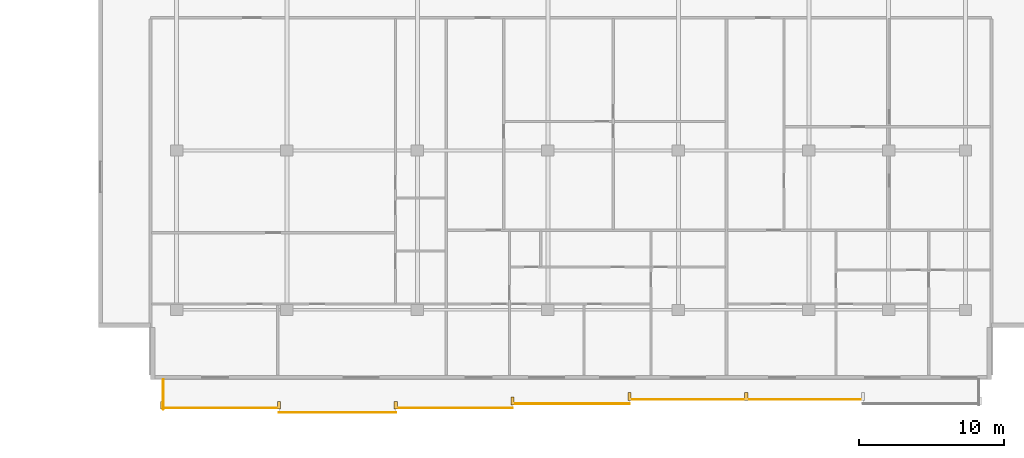
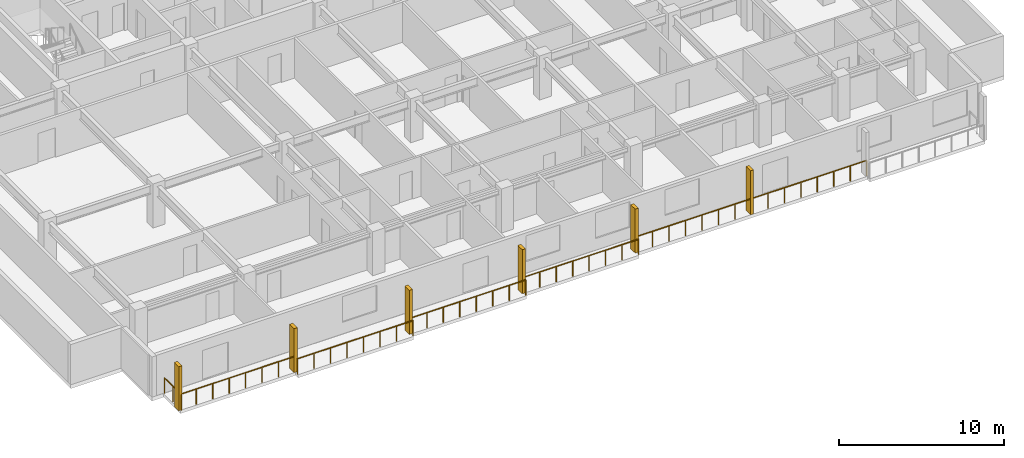
# One storey, part 17 of 21: 6 railings, 6 shading devices.
"""IFC4 building model written with IfcOpenShell, lengths in metres."""

from ifc_helpers import new_model, si_unit, direction, frame, origin, origin_2d, place, context, subcontext, project, spatial, rectangle, circle, extrude, material, type_object, element, save


model = new_model("IFC4")

# Units and contexts
model_context = context("Model", 3, precision=1e-05, world=origin(), true_north=direction((0.0, 1.0)))
body_context = subcontext(model_context, "Body", "Model", "MODEL_VIEW")
ifc_project = project(units=[si_unit("LENGTHUNIT", "METRE"), si_unit("AREAUNIT", "SQUARE_METRE"), si_unit("VOLUMEUNIT", "CUBIC_METRE"), si_unit("PLANEANGLEUNIT", "RADIAN"), si_unit("MASSUNIT", "GRAM", prefix="KILO")], contexts=[model_context])

# Site, building, storey
site_placement = place(None, origin())
site = spatial("IfcSite", under=ifc_project, at=site_placement, CompositionType="ELEMENT")
building_placement = place(site_placement, origin())
building = spatial("IfcBuilding", under=site, at=building_placement, Name="Korimba Cascade Residences", CompositionType="ELEMENT")
storey_placement = place(building_placement, frame((0.0, 0.0, 123.050048828125)))
storey = spatial("IfcBuildingStorey", under=building, at=storey_placement, Name="L35", CompositionType="ELEMENT", Elevation=123.050048828125)

# Railings
ifc_material_1 = material(Name="Laminated Glass and Bronze Balustrade", Category="glass")
railing_type = type_object("IfcRailingType", Name="RLG-LOG-1150", PredefinedType="BALUSTRADE", material=ifc_material_1)
for number, where, name in (
    (1, (73.5, -10.969970703125, 0.0), "L35 Perimeter Guardrail RLG-L35-T2-LOG-01"),
    (2, (81.55712890625, -11.27001953125, 0.0), "L35 Perimeter Guardrail RLG-L35-T2-LOG-02"),
    (3, (89.6142578125, -10.969970703125, 0.0), "L35 Perimeter Guardrail RLG-L35-T2-LOG-03"),
    (4, (97.67138671875, -10.669921875, 0.0), "L35 Perimeter Guardrail RLG-L35-T2-LOG-04"),
):
    element("IfcRailing", number, at=place(storey_placement, frame(where)), inside=storey, type_object=railing_type, Name=name, PredefinedType="BALUSTRADE", context=body_context, shape_type="SweptSolid", body=[
        extrude(circle(Radius=0.02392578125, at=origin_2d()), frame((0.0, 0.0, 1.1259765625), z_axis=(1.0, 0.0, 0.0), x_axis=(0.0, 1.0, 0.0)), (0.0, 0.0, 1.0), 8.05712890625),
        extrude(circle(Radius=0.02099609375, at=origin_2d()), origin(), (0.0, 0.0, 1.0), 1.101806640625),
        extrude(circle(Radius=0.02099609375, at=origin_2d()), frame((1.151123046875, 0.0, 0.0)), (0.0, 0.0, 1.0), 1.101806640625),
        extrude(circle(Radius=0.02099609375, at=origin_2d()), frame((2.302001953125, 0.0, 0.0)), (0.0, 0.0, 1.0), 1.101806640625),
        extrude(circle(Radius=0.02099609375, at=origin_2d()), frame((3.453125, 0.0, 0.0)), (0.0, 0.0, 1.0), 1.101806640625),
        extrude(circle(Radius=0.02099609375, at=origin_2d()), frame((4.60400390625, 0.0, 0.0)), (0.0, 0.0, 1.0), 1.101806640625),
        extrude(circle(Radius=0.02099609375, at=origin_2d()), frame((5.755126953125, 0.0, 0.0)), (0.0, 0.0, 1.0), 1.101806640625),
        extrude(circle(Radius=0.02099609375, at=origin_2d()), frame((6.906005859375, 0.0, 0.0)), (0.0, 0.0, 1.0), 1.101806640625),
        extrude(circle(Radius=0.02099609375, at=origin_2d()), frame((8.05712890625, 0.0, 0.0)), (0.0, 0.0, 1.0), 1.101806640625),
    ])
railing_1_placement = place(storey_placement, frame((105.728515625, -10.3701171875, 0.0)))
element("IfcRailing", 5, at=railing_1_placement, inside=storey, type_object=railing_type, Name="L35 Perimeter Guardrail RLG-L35-T2-LOG-05", PredefinedType="BALUSTRADE", context=body_context, shape_type="SweptSolid", body=[
    extrude(circle(Radius=0.02392578125, at=origin_2d()), frame((0.0, 0.0, 1.1259765625), z_axis=(1.0, 0.0, 0.0), x_axis=(0.0, 1.0, 0.0)), (0.0, 0.0, 1.0), 16.114501953125),
    extrude(circle(Radius=0.02099609375, at=origin_2d()), origin(), (0.0, 0.0, 1.0), 1.101806640625),
    extrude(circle(Radius=0.02099609375, at=origin_2d()), frame((1.151123046875, 0.0, 0.0)), (0.0, 0.0, 1.0), 1.101806640625),
    extrude(circle(Radius=0.02099609375, at=origin_2d()), frame((2.302001953125, 0.0, 0.0)), (0.0, 0.0, 1.0), 1.101806640625),
    extrude(circle(Radius=0.02099609375, at=origin_2d()), frame((3.453125, 0.0, 0.0)), (0.0, 0.0, 1.0), 1.101806640625),
    extrude(circle(Radius=0.02099609375, at=origin_2d()), frame((4.604248046875, 0.0, 0.0)), (0.0, 0.0, 1.0), 1.101806640625),
    extrude(circle(Radius=0.02099609375, at=origin_2d()), frame((5.755126953125, 0.0, 0.0)), (0.0, 0.0, 1.0), 1.101806640625),
    extrude(circle(Radius=0.02099609375, at=origin_2d()), frame((6.90625, 0.0, 0.0)), (0.0, 0.0, 1.0), 1.101806640625),
    extrude(circle(Radius=0.02099609375, at=origin_2d()), frame((8.05712890625, 0.0, 0.0)), (0.0, 0.0, 1.0), 1.101806640625),
    extrude(circle(Radius=0.02099609375, at=origin_2d()), frame((9.208251953125, 0.0, 0.0)), (0.0, 0.0, 1.0), 1.101806640625),
    extrude(circle(Radius=0.02099609375, at=origin_2d()), frame((10.359375, 0.0, 0.0)), (0.0, 0.0, 1.0), 1.101806640625),
    extrude(circle(Radius=0.02099609375, at=origin_2d()), frame((11.51025390625, 0.0, 0.0)), (0.0, 0.0, 1.0), 1.101806640625),
    extrude(circle(Radius=0.02099609375, at=origin_2d()), frame((12.661376953125, 0.0, 0.0)), (0.0, 0.0, 1.0), 1.101806640625),
    extrude(circle(Radius=0.02099609375, at=origin_2d()), frame((13.8125, 0.0, 0.0)), (0.0, 0.0, 1.0), 1.101806640625),
    extrude(circle(Radius=0.02099609375, at=origin_2d()), frame((14.96337890625, 0.0, 0.0)), (0.0, 0.0, 1.0), 1.101806640625),
    extrude(circle(Radius=0.02099609375, at=origin_2d()), frame((16.114501953125, 0.0, 0.0)), (0.0, 0.0, 1.0), 1.101806640625),
])
railing_2_placement = place(storey_placement, frame((73.580078125, -9.0, 0.0)))
element("IfcRailing", 6, at=railing_2_placement, inside=storey, type_object=railing_type, Name="L35 Perimeter Guardrail RLG-L35-T2-LOG-08", PredefinedType="BALUSTRADE", context=body_context, shape_type="SweptSolid", body=[
    extrude(circle(Radius=0.02392578125, at=origin_2d()), frame((0.0, 0.0, 1.1259765625), z_axis=(0.0, -1.0, 0.0), x_axis=(1.0, 0.0, 0.0)), (0.0, 0.0, 1.0), 2.050048828125),
    extrude(circle(Radius=0.02099609375, at=origin_2d()), origin(), (0.0, 0.0, 1.0), 1.101806640625),
    extrude(circle(Radius=0.02099609375, at=origin_2d()), frame((0.0, -1.02490234375, 0.0)), (0.0, 0.0, 1.0), 1.101806640625),
    extrude(circle(Radius=0.02099609375, at=origin_2d()), frame((0.0, -2.050048828125, 0.0)), (0.0, 0.0, 1.0), 1.101806640625),
])

# Shading devices
ifc_material_2 = material(Name="Honed Sandstone Precast Fin", Category="masonry")
shading_device_type = type_object("IfcShadingDeviceType", Name="SHD-FIN-550", PredefinedType="USERDEFINED", material=ifc_material_2)
for number, where, z_axis, x_axis, name in (
    (7, (73.5, -10.77490234375, 0.0), (0.0, 0.0, 1.0), (1.0, 0.0, 0.0), "L35 T2 Warm-Stone Loggia Fin 1"),
    (8, (81.55712890625, -10.77490234375, 0.0), (0.0, 0.0, 1.0), (1.0, 0.0, 0.0), "L35 T2 Warm-Stone Loggia Fin 2"),
    (9, (89.6142578125, -10.77490234375, 0.0), (0.0, 0.0, 1.0), (1.0, 0.0, 0.0), "L35 T2 Warm-Stone Loggia Fin 3"),
    (10, (97.67138671875, -10.47509765625, 0.0), (0.0, 0.0, 1.0), (1.0, 0.0, 0.0), "L35 T2 Warm-Stone Loggia Fin 4"),
    (11, (105.728515625, -10.175048828125, 0.0), (0.0, 0.0, 1.0), (1.0, 0.0, 0.0), "L35 T2 Warm-Stone Loggia Fin 5"),
    (12, (113.78564453125, -10.175048828125, 0.0), (0.0, 0.0, 1.0), (1.0, 0.0, 0.0), "L35 T2 Warm-Stone Loggia Fin 6"),
):
    element("IfcShadingDevice", number, at=place(storey_placement, frame(where, z_axis=z_axis, x_axis=x_axis)), inside=storey, type_object=shading_device_type, Name=name, ObjectType="FIN", PredefinedType="USERDEFINED", context=body_context, shape_type="SweptSolid", body=[
        extrude(rectangle(XDim=0.219970703125, YDim=0.550048828125, at=origin_2d()), origin(), (0.0, 0.0, 1.0), 3.25),
    ])

save(model, "model.ifc")
